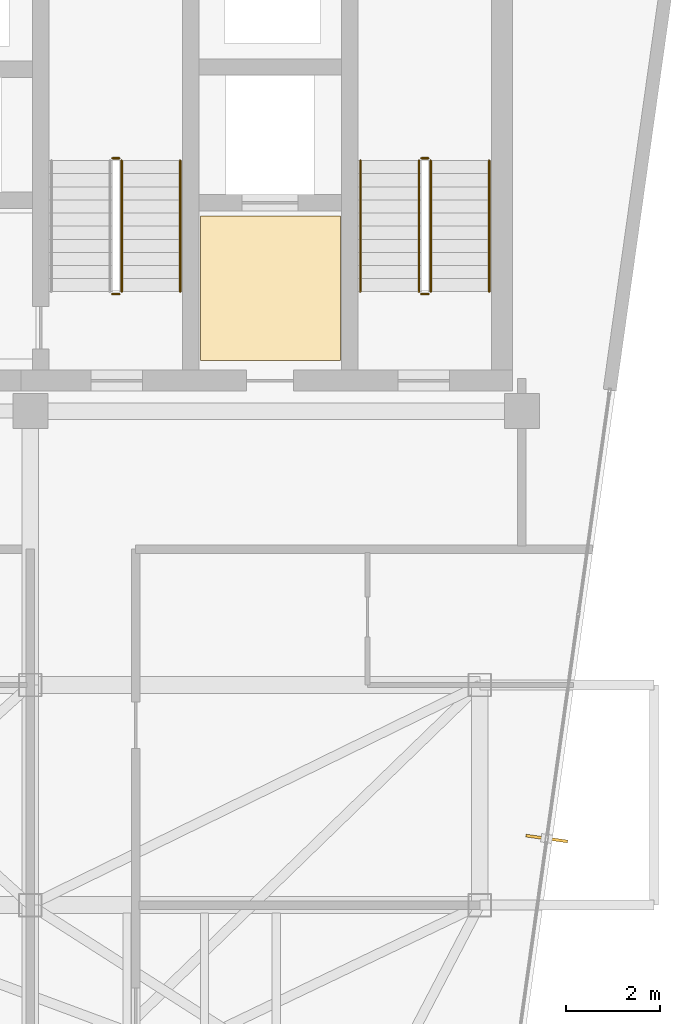
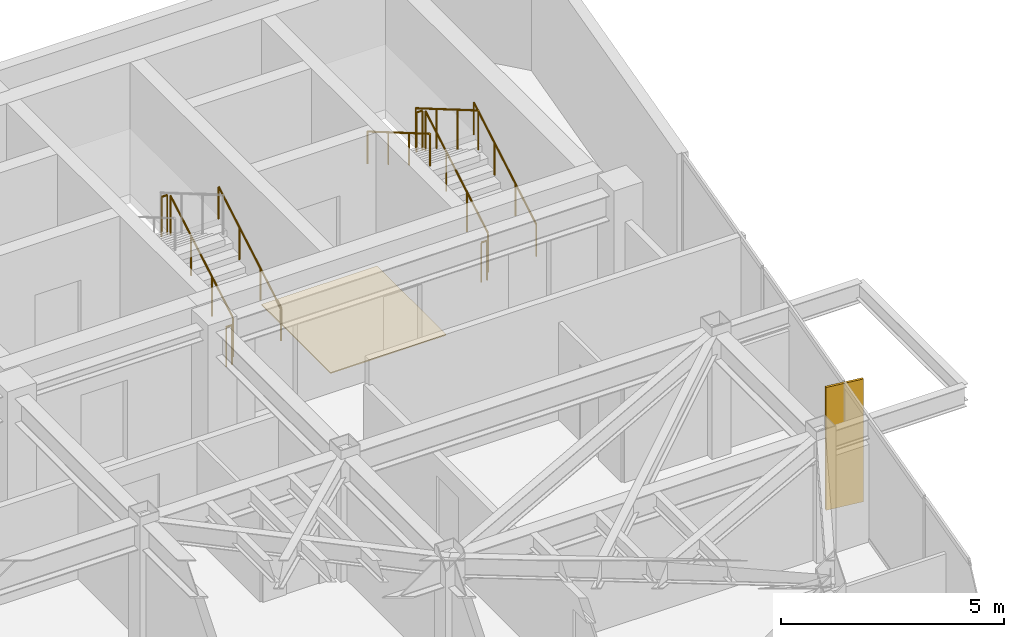
# One storey, part 21 of 21: 10 railings, 1 covering, 1 shading device.
"""IFC4 building model written with IfcOpenShell, lengths in metres."""

from ifc_helpers import new_model, si_unit, direction, frame, origin, origin_2d, place, context, subcontext, project, spatial, polyline, rectangle, circle, outline, extrude, material, layer, layer_set, type_object, element, save


model = new_model("IFC4")

# Units and contexts
model_context = context("Model", 3, precision=1e-05, world=origin(), true_north=direction((0.0, 1.0)))
body_context = subcontext(model_context, "Body", "Model", "MODEL_VIEW")
ifc_project = project(units=[si_unit("LENGTHUNIT", "METRE"), si_unit("AREAUNIT", "SQUARE_METRE"), si_unit("VOLUMEUNIT", "CUBIC_METRE"), si_unit("PLANEANGLEUNIT", "RADIAN"), si_unit("MASSUNIT", "GRAM", prefix="KILO")], contexts=[model_context])

# Site, building, storey
site_placement = place(None, origin())
site = spatial("IfcSite", under=ifc_project, at=site_placement, CompositionType="ELEMENT")
building_placement = place(site_placement, origin())
building = spatial("IfcBuilding", under=site, at=building_placement, Name="Kravanh Interchange Tower", CompositionType="ELEMENT")
storey_placement = place(building_placement, frame((0.0, 0.0, 231.0)))
storey = spatial("IfcBuildingStorey", under=building, at=storey_placement, Name="L55", CompositionType="ELEMENT", Elevation=231.0)

# Covering
ifc_material_1 = material(Name="Cementitious Terrazzo Tile")
ifc_layer_1 = layer(ifc_material_1, 0.030029296875)
ifc_layer_set_1 = layer_set([ifc_layer_1], Name="Honed Terrazzo Lobby Flooring 30mm")
covering_type = type_object("IfcCoveringType", Name="Honed Terrazzo Lobby Flooring 30mm", PredefinedType="FLOORING", material=ifc_layer_set_1)
covering_placement = place(storey_placement, origin())
element("IfcCovering", 1, at=covering_placement, inside=storey, type_object=covering_type, Name="L55 Service Lift Lobby Floor Finish", PredefinedType="FLOORING", context=body_context, shape_type="SweptSolid", body=[
    extrude(outline(polyline([(59.6298828125, 41.52001953125), (62.6201171875, 41.52001953125), (62.6201171875, 38.429931640625), (59.6298828125, 38.429931640625), (59.6298828125, 41.52001953125)])), origin(), (0.0, 0.0, 1.0), 0.030029296875),
])

# Railings
ifc_material_2 = material(Name="Structural Steel S355", Category="steel")
ifc_layer_2 = layer(ifc_material_2, 0.050048828125)
ifc_layer_set_2 = layer_set([ifc_layer_2], Name="Stair Well Guardrail Structural Steel S355 1100mm")
railing_type_1 = type_object("IfcRailingType", Name="Stair Well Guardrail Structural Steel S355 1100mm", PredefinedType="GUARDRAIL", material=ifc_layer_set_2)
railing_1_placement = place(storey_placement, frame((64.550048828125, 39.89990234375, 0.16357421875)))
element("IfcRailing", 2, at=railing_1_placement, inside=storey, type_object=railing_type_1, Name="L55 ST1 stair guard 1", PredefinedType="GUARDRAIL", context=body_context, shape_type="SweptSolid", body=[
    extrude(circle(Radius=0.02392578125, at=origin_2d()), frame((0.0, 0.0, 1.076171875), z_axis=(0.0, 0.863360870873, 0.504586966384), x_axis=(-1.0, 0.0, 0.0)), (0.0, 0.0, 1.0), 3.2431640625),
    extrude(circle(Radius=0.02099609375, at=origin_2d()), origin(), (0.0, 0.0, 1.0), 1.052001953125),
    extrude(circle(Radius=0.02099609375, at=origin_2d()), frame((0.0, 0.933349609375, 0.54541015625)), (0.0, 0.0, 1.0), 1.052001953125),
    extrude(circle(Radius=0.02099609375, at=origin_2d()), frame((0.0, 1.86669921875, 1.091064453125)), (0.0, 0.0, 1.0), 1.052001953125),
    extrude(circle(Radius=0.02099609375, at=origin_2d()), frame((0.0, 2.800048828125, 1.636474609375)), (0.0, 0.0, 1.0), 1.052001953125),
])
railing_2_placement = place(storey_placement, frame((64.5, 42.75, 1.800048828125)))
element("IfcRailing", 3, at=railing_2_placement, inside=storey, type_object=railing_type_1, Name="L55 ST1 stair guard 2", PredefinedType="GUARDRAIL", context=body_context, shape_type="SweptSolid", body=[
    extrude(circle(Radius=0.02392578125, at=origin_2d()), frame((0.0, 0.0, 1.076171875), z_axis=(-1.0, 0.0, 0.0), x_axis=(0.0, -1.0, 0.0)), (0.0, 0.0, 1.0), 0.14990234375),
    extrude(circle(Radius=0.02099609375, at=origin_2d()), origin(), (0.0, 0.0, 1.0), 1.052001953125),
    extrude(circle(Radius=0.02099609375, at=origin_2d()), frame((-0.14990234375, 0.0, 0.0)), (0.0, 0.0, 1.0), 1.052001953125),
])
railing_3_placement = place(storey_placement, frame((64.300048828125, 42.699951171875, 1.963623046875)))
element("IfcRailing", 4, at=railing_3_placement, inside=storey, type_object=railing_type_1, Name="L55 ST1 stair guard 3", PredefinedType="GUARDRAIL", context=body_context, shape_type="SweptSolid", body=[
    extrude(circle(Radius=0.02392578125, at=origin_2d()), frame((0.0, 0.0, 1.076171875), z_axis=(0.0, -0.863360870873, 0.504586966384), x_axis=(1.0, 0.0, 0.0)), (0.0, 0.0, 1.0), 3.2431640625),
    extrude(circle(Radius=0.02099609375, at=origin_2d()), origin(), (0.0, 0.0, 1.0), 1.052001953125),
    extrude(circle(Radius=0.02099609375, at=origin_2d()), frame((0.0, -0.933349609375, 0.54541015625)), (0.0, 0.0, 1.0), 1.052001953125),
    extrude(circle(Radius=0.02099609375, at=origin_2d()), frame((0.0, -1.86669921875, 1.091064453125)), (0.0, 0.0, 1.0), 1.052001953125),
    extrude(circle(Radius=0.02099609375, at=origin_2d()), frame((0.0, -2.800048828125, 1.636474609375)), (0.0, 0.0, 1.0), 1.052001953125),
])
railing_4_placement = place(storey_placement, frame((64.5, 39.85009765625, 0.0)))
element("IfcRailing", 5, at=railing_4_placement, inside=storey, type_object=railing_type_1, Name="L55 ST1 stair guard 4", PredefinedType="GUARDRAIL", context=body_context, shape_type="SweptSolid", body=[
    extrude(circle(Radius=0.02392578125, at=origin_2d()), frame((0.0, 0.0, 1.076171875), z_axis=(-1.0, 0.0, 0.0), x_axis=(0.0, -1.0, 0.0)), (0.0, 0.0, 1.0), 0.14990234375),
    extrude(circle(Radius=0.02099609375, at=origin_2d()), origin(), (0.0, 0.0, 1.0), 1.052001953125),
    extrude(circle(Radius=0.02099609375, at=origin_2d()), frame((-0.14990234375, 0.0, 0.0)), (0.0, 0.0, 1.0), 1.052001953125),
])
railing_5_placement = place(storey_placement, frame((57.949951171875, 39.89990234375, 0.16357421875)))
element("IfcRailing", 6, at=railing_5_placement, inside=storey, type_object=railing_type_1, Name="L55 ST2 stair guard 1", PredefinedType="GUARDRAIL", context=body_context, shape_type="SweptSolid", body=[
    extrude(circle(Radius=0.02392578125, at=origin_2d()), frame((0.0, 0.0, 1.076171875), z_axis=(0.0, 0.863360870873, 0.504586966384), x_axis=(-1.0, 0.0, 0.0)), (0.0, 0.0, 1.0), 3.2431640625),
    extrude(circle(Radius=0.02099609375, at=origin_2d()), origin(), (0.0, 0.0, 1.0), 1.052001953125),
    extrude(circle(Radius=0.02099609375, at=origin_2d()), frame((0.0, 0.933349609375, 0.54541015625)), (0.0, 0.0, 1.0), 1.052001953125),
    extrude(circle(Radius=0.02099609375, at=origin_2d()), frame((0.0, 1.86669921875, 1.091064453125)), (0.0, 0.0, 1.0), 1.052001953125),
    extrude(circle(Radius=0.02099609375, at=origin_2d()), frame((0.0, 2.800048828125, 1.636474609375)), (0.0, 0.0, 1.0), 1.052001953125),
])
for number, where, name in (
    (7, (57.89990234375, 42.75, 1.800048828125), "L55 ST2 stair guard 2"),
    (8, (57.89990234375, 39.85009765625, 0.0), "L55 ST2 stair guard 4"),
):
    element("IfcRailing", number, at=place(storey_placement, frame(where)), inside=storey, type_object=railing_type_1, Name=name, PredefinedType="GUARDRAIL", context=body_context, shape_type="SweptSolid", body=[
        extrude(circle(Radius=0.02392578125, at=origin_2d()), frame((0.0, 0.0, 1.076171875), z_axis=(-1.0, 0.0, 0.0), x_axis=(0.0, -1.0, 0.0)), (0.0, 0.0, 1.0), 0.14990234375),
        extrude(circle(Radius=0.02099609375, at=origin_2d()), origin(), (0.0, 0.0, 1.0), 1.052001953125),
        extrude(circle(Radius=0.02099609375, at=origin_2d()), frame((-0.14990234375, 0.0, 0.0)), (0.0, 0.0, 1.0), 1.052001953125),
    ])
ifc_material_3 = material(Name="Stainless Steel 304", Category="steel")
ifc_layer_3 = layer(ifc_material_3, 0.044921875)
ifc_layer_set_3 = layer_set([ifc_layer_3], Name="Tubular Stair Handrail Stainless 304 900mm")
railing_type_2 = type_object("IfcRailingType", Name="Tubular Stair Handrail Stainless 304 900mm", PredefinedType="HANDRAIL", material=ifc_layer_set_3)
railing_6_placement = place(storey_placement, frame((65.800048828125, 39.89990234375, 0.16357421875)))
element("IfcRailing", 9, at=railing_6_placement, inside=storey, type_object=railing_type_2, Name="L55 ST1 stair handrail 1", PredefinedType="HANDRAIL", context=body_context, shape_type="SweptSolid", body=[
    extrude(circle(Radius=0.02392578125, at=origin_2d()), frame((0.0, 0.0, 0.8759765625), z_axis=(0.0, 0.863360870873, 0.504586966384), x_axis=(-1.0, 0.0, 0.0)), (0.0, 0.0, 1.0), 3.2431640625),
    extrude(circle(Radius=0.02099609375, at=origin_2d()), origin(), (0.0, 0.0, 1.0), 0.851806640625),
    extrude(circle(Radius=0.02099609375, at=origin_2d()), frame((0.0, 0.933349609375, 0.54541015625)), (0.0, 0.0, 1.0), 0.851806640625),
    extrude(circle(Radius=0.02099609375, at=origin_2d()), frame((0.0, 1.86669921875, 1.091064453125)), (0.0, 0.0, 1.0), 0.851806640625),
    extrude(circle(Radius=0.02099609375, at=origin_2d()), frame((0.0, 2.800048828125, 1.636474609375)), (0.0, 0.0, 1.0), 0.851806640625),
])
railing_7_placement = place(storey_placement, frame((63.050048828125, 42.699951171875, 1.963623046875)))
element("IfcRailing", 10, at=railing_7_placement, inside=storey, type_object=railing_type_2, Name="L55 ST1 stair handrail 2", PredefinedType="HANDRAIL", context=body_context, shape_type="SweptSolid", body=[
    extrude(circle(Radius=0.02392578125, at=origin_2d()), frame((0.0, 0.0, 0.8759765625), z_axis=(0.0, -0.863360870873, 0.504586966384), x_axis=(1.0, 0.0, 0.0)), (0.0, 0.0, 1.0), 3.2431640625),
    extrude(circle(Radius=0.02099609375, at=origin_2d()), origin(), (0.0, 0.0, 1.0), 0.851806640625),
    extrude(circle(Radius=0.02099609375, at=origin_2d()), frame((0.0, -0.933349609375, 0.54541015625)), (0.0, 0.0, 1.0), 0.851806640625),
    extrude(circle(Radius=0.02099609375, at=origin_2d()), frame((0.0, -1.86669921875, 1.091064453125)), (0.0, 0.0, 1.0), 0.851806640625),
    extrude(circle(Radius=0.02099609375, at=origin_2d()), frame((0.0, -2.800048828125, 1.636474609375)), (0.0, 0.0, 1.0), 0.851806640625),
])
railing_8_placement = place(storey_placement, frame((59.199951171875, 39.89990234375, 0.16357421875)))
element("IfcRailing", 11, at=railing_8_placement, inside=storey, type_object=railing_type_2, Name="L55 ST2 stair handrail 1", PredefinedType="HANDRAIL", context=body_context, shape_type="SweptSolid", body=[
    extrude(circle(Radius=0.02392578125, at=origin_2d()), frame((0.0, 0.0, 0.8759765625), z_axis=(0.0, 0.863360870873, 0.504586966384), x_axis=(-1.0, 0.0, 0.0)), (0.0, 0.0, 1.0), 3.2431640625),
    extrude(circle(Radius=0.02099609375, at=origin_2d()), origin(), (0.0, 0.0, 1.0), 0.851806640625),
    extrude(circle(Radius=0.02099609375, at=origin_2d()), frame((0.0, 0.933349609375, 0.54541015625)), (0.0, 0.0, 1.0), 0.851806640625),
    extrude(circle(Radius=0.02099609375, at=origin_2d()), frame((0.0, 1.86669921875, 1.091064453125)), (0.0, 0.0, 1.0), 0.851806640625),
    extrude(circle(Radius=0.02099609375, at=origin_2d()), frame((0.0, 2.800048828125, 1.636474609375)), (0.0, 0.0, 1.0), 0.851806640625),
])

# Shading device
ifc_material_4 = material(Name="Anodised Champagne Bronze Aluminium", Category="aluminium")
ifc_layer_4 = layer(ifc_material_4, 0.06005859375)
ifc_layer_set_4 = layer_set([ifc_layer_4], Name="Vertical Bronze Solar Fin 900mm")
shading_device_type = type_object("IfcShadingDeviceType", Name="Vertical Bronze Solar Fin 900mm", PredefinedType="USERDEFINED", material=ifc_layer_set_4)
shading_device_placement = place(storey_placement, frame((67.02880859375, 28.220703125, 0.0), z_axis=(0.0, 0.0, 1.0), x_axis=(0.990267924056, -0.139174130448, 0.0)))
element("IfcShadingDevice", 12, at=shading_device_placement, inside=storey, type_object=shading_device_type, Name="L55 BRONZE SOLAR FIN 1", ObjectType="FIN", PredefinedType="USERDEFINED", context=body_context, shape_type="SweptSolid", body=[
    extrude(rectangle(XDim=0.89990234375, YDim=0.06005859375, at=origin_2d()), origin(), (0.0, 0.0, 1.0), 3.360107421875),
])

save(model, "model.ifc")
